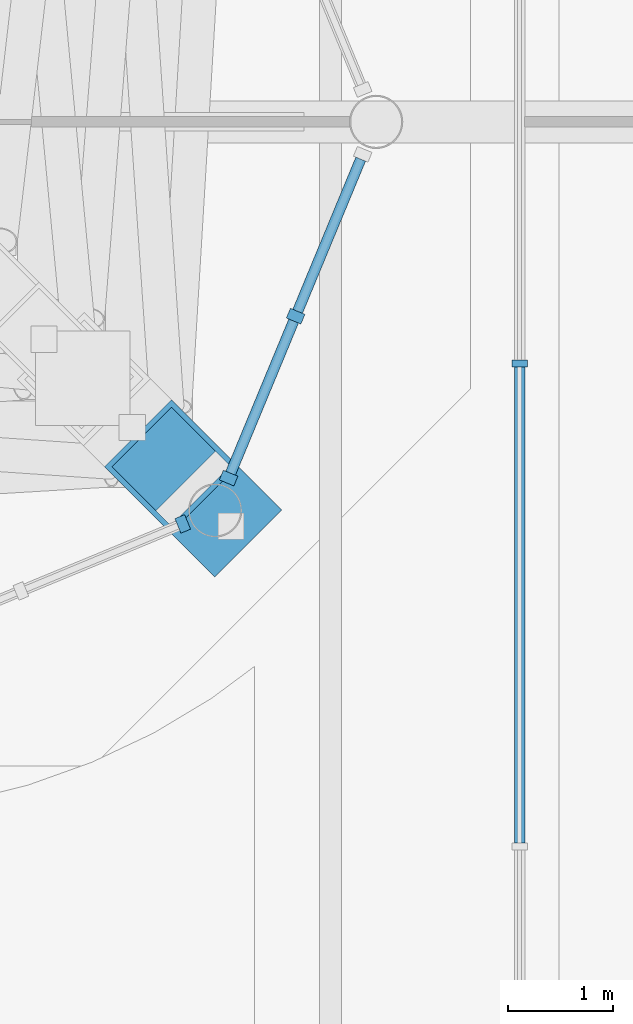
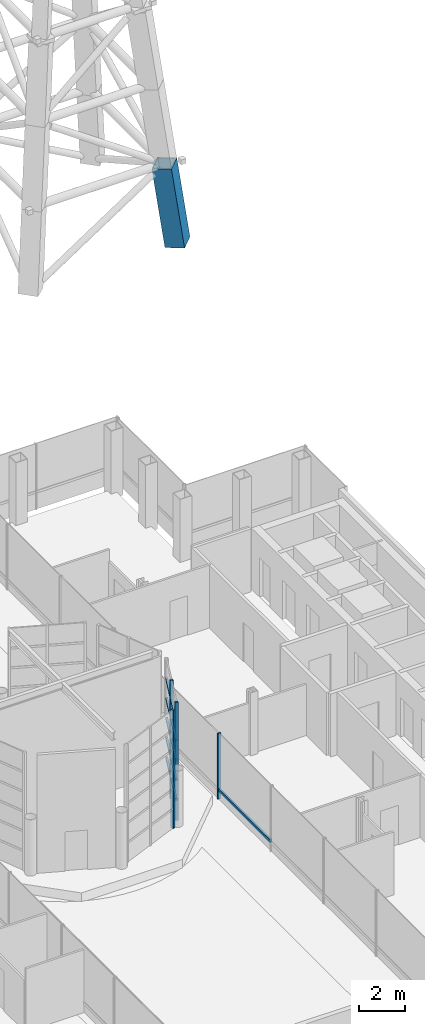
# One storey, part 14 of 32: 16 members, 3 elements without a shape of their own.
"""IFC4 building model written with IfcOpenShell, lengths in metres."""

from ifc_helpers import new_model, si_unit, direction, frame, origin, origin_2d, place, context, subcontext, project, spatial, rectangle, hollow_rectangle, extrude, material, material_profile, profile_set, type_object, element, aggregate, save


model = new_model("IFC4")

# Units and contexts
model_context = context("Model", 3, precision=1e-05, world=origin(), true_north=direction((0.0, 1.0)))
body_context = subcontext(model_context, "Body", "Model", "MODEL_VIEW")
ifc_project = project(units=[si_unit("LENGTHUNIT", "METRE"), si_unit("AREAUNIT", "SQUARE_METRE"), si_unit("VOLUMEUNIT", "CUBIC_METRE"), si_unit("PLANEANGLEUNIT", "RADIAN"), si_unit("MASSUNIT", "GRAM", prefix="KILO")], contexts=[model_context])

# Site, building, storey
site_placement = place(None, origin())
site = spatial("IfcSite", under=ifc_project, at=site_placement, CompositionType="ELEMENT")
building_placement = place(site_placement, origin())
building = spatial("IfcBuilding", under=site, at=building_placement, Name="Cobrizo Arcos Hotel Tower", CompositionType="ELEMENT")
storey_placement = place(building_placement, frame((0.0, 0.0, 265.5)))
storey = spatial("IfcBuildingStorey", under=building, at=storey_placement, Name="L70", CompositionType="ELEMENT", Elevation=265.5)

# Curtain wall, members
ifc_material_1 = material(Name="Aluminium 6063-T6 anodised bronze", Category="aluminium")
curtain_wall_type_1 = type_object("IfcCurtainWallType", Name="CW-C arch infill and crown glazing", PredefinedType="NOTDEFINED", material=ifc_material_1)
curtain_wall_1_placement = place(storey_placement, origin())
curtain_wall_1 = element("IfcCurtainWall", 1, at=curtain_wall_1_placement, inside=storey, type_object=curtain_wall_type_1, Name="CW-C L70 W face", PredefinedType="NOTDEFINED")
ifc_material_profile_1 = material_profile(ifc_material_1, rectangle(XDim=0.14990234375, YDim=0.070068359375, at=origin_2d()), Name="CW-C mullion 150x70")
ifc_profile_set_1 = profile_set([ifc_material_profile_1], Name="Aluminium 6063-T6 anodised bronze")
member_type_1 = type_object("IfcMemberType", Name="CW-C mullion 150x70", PredefinedType="MULLION", material=ifc_profile_set_1)
member_1_placement = place(storey_placement, frame((6.59912109375, -2.300048828125, 0.0), z_axis=(0.0, 0.0, 1.0), x_axis=(-1.0, 0.0, 0.0)))
member_1 = element("IfcMember", 2, at=member_1_placement, type_object=member_type_1, Name="CW-C mullion 6", PredefinedType="MULLION", context=body_context, shape_type="SweptSolid", body=[
    extrude(rectangle(XDim=0.14990234375, YDim=0.070068359375, at=origin_2d()), origin(), (0.0, 0.0, 1.0), 3.5),
])
ifc_material_profile_2 = material_profile(ifc_material_1, rectangle(XDim=0.10009765625, YDim=0.139892578125, at=origin_2d()), Name="CW-C transom 140x100")
ifc_profile_set_2 = profile_set([ifc_material_profile_2], Name="Aluminium 6063-T6 anodised bronze")
member_type_2 = type_object("IfcMemberType", Name="CW-C transom 140x100", PredefinedType="USERDEFINED", material=ifc_profile_set_2)
member_2_placement = place(storey_placement, frame((6.59912109375, -2.3349609375, 0.5), z_axis=(0.0, -1.0, 0.0), x_axis=(1.0, 0.0, 0.0)))
member_2 = element("IfcMember", 3, at=member_2_placement, type_object=member_type_2, Name="CW-C transom 2187", ObjectType="TRANSOM", PredefinedType="USERDEFINED", context=body_context, shape_type="SweptSolid", body=[
    extrude(rectangle(XDim=0.10009765625, YDim=0.139892578125, at=origin_2d()), origin(), (0.0, 0.0, 1.0), 4.530029296875),
])
aggregate(curtain_wall_1, [member_1, member_2])

# Curtain wall, member
curtain_wall_type_2 = type_object("IfcCurtainWallType", Name="CW-D plant louvre wall", PredefinedType="NOTDEFINED", material=ifc_material_1)
curtain_wall_2_placement = place(storey_placement, origin())
curtain_wall_2 = element("IfcCurtainWall", 4, at=curtain_wall_2_placement, inside=storey, type_object=curtain_wall_type_2, Name="CW-D drum louvre wall 7", PredefinedType="NOTDEFINED")
ifc_material_profile_3 = material_profile(ifc_material_1, rectangle(XDim=0.14990234375, YDim=0.10009765625, at=origin_2d()), Name="CW-D mullion 150x100")
ifc_profile_set_3 = profile_set([ifc_material_profile_3], Name="Aluminium 6063-T6 anodised bronze")
member_type_3 = type_object("IfcMemberType", Name="CW-D mullion 150x100", PredefinedType="MULLION", material=ifc_profile_set_3)
member_3_placement = place(storey_placement, frame((3.391357421875, -3.827880859375, 0.5), z_axis=(0.0, 0.0, 1.0), x_axis=(0.382683432365, -0.923879532511, 0.0)))
member_3 = element("IfcMember", 5, at=member_3_placement, type_object=member_type_3, Name="CW-D mullion 3", PredefinedType="MULLION", context=body_context, shape_type="SweptSolid", body=[
    extrude(rectangle(XDim=0.14990234375, YDim=0.10009765625, at=origin_2d()), origin(), (0.0, 0.0, 1.0), 6.300048828125),
])
aggregate(curtain_wall_2, [member_3])

# Curtain wall, members
curtain_wall_3_placement = place(storey_placement, origin())
curtain_wall_3 = element("IfcCurtainWall", 6, at=curtain_wall_3_placement, inside=storey, type_object=curtain_wall_type_2, Name="CW-D drum louvre wall 8", PredefinedType="NOTDEFINED")
member_4_placement = place(storey_placement, frame((3.827880859375, -3.391357421875, 0.5), z_axis=(0.0, 0.0, 1.0), x_axis=(0.923879532511, -0.382683432365, 0.0)))
member_4 = element("IfcMember", 7, at=member_4_placement, type_object=member_type_3, Name="CW-D mullion 1", PredefinedType="MULLION", context=body_context, shape_type="SweptSolid", body=[
    extrude(rectangle(XDim=0.14990234375, YDim=0.10009765625, at=origin_2d()), origin(), (0.0, 0.0, 1.0), 6.300048828125),
])
member_5_placement = place(storey_placement, frame((4.46630859375, -1.85009765625, 0.5), z_axis=(0.0, 0.0, 1.0), x_axis=(0.923879532511, -0.382683432365, 0.0)))
member_5 = element("IfcMember", 8, at=member_5_placement, type_object=member_type_3, Name="CW-D mullion 2", PredefinedType="MULLION", context=body_context, shape_type="SweptSolid", body=[
    extrude(rectangle(XDim=0.14990234375, YDim=0.10009765625, at=origin_2d()), origin(), (0.0, 0.0, 1.0), 6.300048828125),
])
ifc_material_profile_4 = material_profile(ifc_material_1, rectangle(XDim=0.10009765625, YDim=0.10009765625, at=origin_2d()), Name="CW-D transom 100x100")
ifc_profile_set_4 = profile_set([ifc_material_profile_4], Name="Aluminium 6063-T6 anodised bronze")
member_type_4 = type_object("IfcMemberType", Name="CW-D transom 100x100", PredefinedType="USERDEFINED", material=ifc_profile_set_4)
member_6_placement = place(storey_placement, frame((3.846923828125, -3.34521484375, 1.550048828125), z_axis=(0.382768797092, 0.923844168663, 0.0), x_axis=(-0.923844168663, 0.382768797092, 0.0)))
member_6 = element("IfcMember", 9, at=member_6_placement, type_object=member_type_4, Name="CW-D transom 1-1", ObjectType="TRANSOM", PredefinedType="USERDEFINED", context=body_context, shape_type="SweptSolid", body=[
    extrude(rectangle(XDim=0.10009765625, YDim=0.10009765625, at=origin_2d()), origin(), (0.0, 0.0, 1.0), 1.568359375),
])
member_7_placement = place(storey_placement, frame((3.846923828125, -3.34521484375, 2.60009765625), z_axis=(0.382768797092, 0.923844168663, 0.0), x_axis=(-0.923844168663, 0.382768797092, 0.0)))
member_7 = element("IfcMember", 10, at=member_7_placement, type_object=member_type_4, Name="CW-D transom 1-2", ObjectType="TRANSOM", PredefinedType="USERDEFINED", context=body_context, shape_type="SweptSolid", body=[
    extrude(rectangle(XDim=0.10009765625, YDim=0.10009765625, at=origin_2d()), origin(), (0.0, 0.0, 1.0), 1.568359375),
])
member_8_placement = place(storey_placement, frame((3.846923828125, -3.34521484375, 3.64990234375), z_axis=(0.382768797092, 0.923844168663, 0.0), x_axis=(-0.923844168663, 0.382768797092, 0.0)))
member_8 = element("IfcMember", 11, at=member_8_placement, type_object=member_type_4, Name="CW-D transom 1-3", ObjectType="TRANSOM", PredefinedType="USERDEFINED", context=body_context, shape_type="SweptSolid", body=[
    extrude(rectangle(XDim=0.10009765625, YDim=0.10009765625, at=origin_2d()), origin(), (0.0, 0.0, 1.0), 1.568359375),
])
member_9_placement = place(storey_placement, frame((3.846923828125, -3.34521484375, 4.699951171875), z_axis=(0.382768797092, 0.923844168663, 0.0), x_axis=(-0.923844168663, 0.382768797092, 0.0)))
member_9 = element("IfcMember", 12, at=member_9_placement, type_object=member_type_4, Name="CW-D transom 1-4", ObjectType="TRANSOM", PredefinedType="USERDEFINED", context=body_context, shape_type="SweptSolid", body=[
    extrude(rectangle(XDim=0.10009765625, YDim=0.10009765625, at=origin_2d()), origin(), (0.0, 0.0, 1.0), 1.568359375),
])
member_10_placement = place(storey_placement, frame((3.846923828125, -3.34521484375, 5.75), z_axis=(0.382768797092, 0.923844168663, 0.0), x_axis=(-0.923844168663, 0.382768797092, 0.0)))
member_10 = element("IfcMember", 13, at=member_10_placement, type_object=member_type_4, Name="CW-D transom 1-5", ObjectType="TRANSOM", PredefinedType="USERDEFINED", context=body_context, shape_type="SweptSolid", body=[
    extrude(rectangle(XDim=0.10009765625, YDim=0.10009765625, at=origin_2d()), origin(), (0.0, 0.0, 1.0), 1.568359375),
])
member_11_placement = place(storey_placement, frame((4.4853515625, -1.8037109375, 1.550048828125), z_axis=(0.382768797092, 0.923844168663, 0.0), x_axis=(-0.923844168663, 0.382768797092, 0.0)))
member_11 = element("IfcMember", 14, at=member_11_placement, type_object=member_type_4, Name="CW-D transom 2-1", ObjectType="TRANSOM", PredefinedType="USERDEFINED", context=body_context, shape_type="SweptSolid", body=[
    extrude(rectangle(XDim=0.10009765625, YDim=0.10009765625, at=origin_2d()), origin(), (0.0, 0.0, 1.0), 1.568359375),
])
member_12_placement = place(storey_placement, frame((4.4853515625, -1.8037109375, 2.60009765625), z_axis=(0.382768797092, 0.923844168663, 0.0), x_axis=(-0.923844168663, 0.382768797092, 0.0)))
member_12 = element("IfcMember", 15, at=member_12_placement, type_object=member_type_4, Name="CW-D transom 2-2", ObjectType="TRANSOM", PredefinedType="USERDEFINED", context=body_context, shape_type="SweptSolid", body=[
    extrude(rectangle(XDim=0.10009765625, YDim=0.10009765625, at=origin_2d()), origin(), (0.0, 0.0, 1.0), 1.568359375),
])
member_13_placement = place(storey_placement, frame((4.4853515625, -1.8037109375, 3.64990234375), z_axis=(0.382768797092, 0.923844168663, 0.0), x_axis=(-0.923844168663, 0.382768797092, 0.0)))
member_13 = element("IfcMember", 16, at=member_13_placement, type_object=member_type_4, Name="CW-D transom 2-3", ObjectType="TRANSOM", PredefinedType="USERDEFINED", context=body_context, shape_type="SweptSolid", body=[
    extrude(rectangle(XDim=0.10009765625, YDim=0.10009765625, at=origin_2d()), origin(), (0.0, 0.0, 1.0), 1.568359375),
])
member_14_placement = place(storey_placement, frame((4.4853515625, -1.8037109375, 4.699951171875), z_axis=(0.382768797092, 0.923844168663, 0.0), x_axis=(-0.923844168663, 0.382768797092, 0.0)))
member_14 = element("IfcMember", 17, at=member_14_placement, type_object=member_type_4, Name="CW-D transom 2-4", ObjectType="TRANSOM", PredefinedType="USERDEFINED", context=body_context, shape_type="SweptSolid", body=[
    extrude(rectangle(XDim=0.10009765625, YDim=0.10009765625, at=origin_2d()), origin(), (0.0, 0.0, 1.0), 1.568359375),
])
member_15_placement = place(storey_placement, frame((4.4853515625, -1.8037109375, 5.75), z_axis=(0.382768797092, 0.923844168663, 0.0), x_axis=(-0.923844168663, 0.382768797092, 0.0)))
member_15 = element("IfcMember", 18, at=member_15_placement, type_object=member_type_4, Name="CW-D transom 2-5", ObjectType="TRANSOM", PredefinedType="USERDEFINED", context=body_context, shape_type="SweptSolid", body=[
    extrude(rectangle(XDim=0.10009765625, YDim=0.10009765625, at=origin_2d()), origin(), (0.0, 0.0, 1.0), 1.568359375),
])
aggregate(curtain_wall_3, [member_4, member_5, member_6, member_7, member_8, member_9, member_10, member_11, member_12, member_13, member_14, member_15])

# Member
ifc_material_2 = material(Name="Steel ASTM A572 Grade 50", Category="steel")
ifc_material_profile_5 = material_profile(ifc_material_2, hollow_rectangle(XDim=0.89990234375, YDim=0.89990234375, WallThickness=0.050048828125, at=origin_2d()), Name="BOX 900X900X50")
ifc_profile_set_5 = profile_set([ifc_material_profile_5], Name="Steel ASTM A572 Grade 50")
member_type_5 = type_object("IfcMemberType", Name="MAST leg BOX 900X900X50", PredefinedType="CHORD", material=ifc_profile_set_5)
member_16_placement = place(storey_placement, frame((3.699951171875, -3.699951171875, 31.5), z_axis=(-0.101359849485, 0.101359849485, 0.98967285596), x_axis=(-0.707106781187, -0.707106781187, 0.0)))
element("IfcMember", 19, at=member_16_placement, inside=storey, type_object=member_type_5, Name="MAST leg SE stage 1", PredefinedType="CHORD", context=body_context, shape_type="SweptSolid", body=[
    extrude(hollow_rectangle(XDim=0.89990234375, YDim=0.89990234375, WallThickness=0.050048828125, at=origin_2d()), origin(), (0.0, 0.0, 1.0), 4.142822265625),
])

save(model, "model.ifc")
